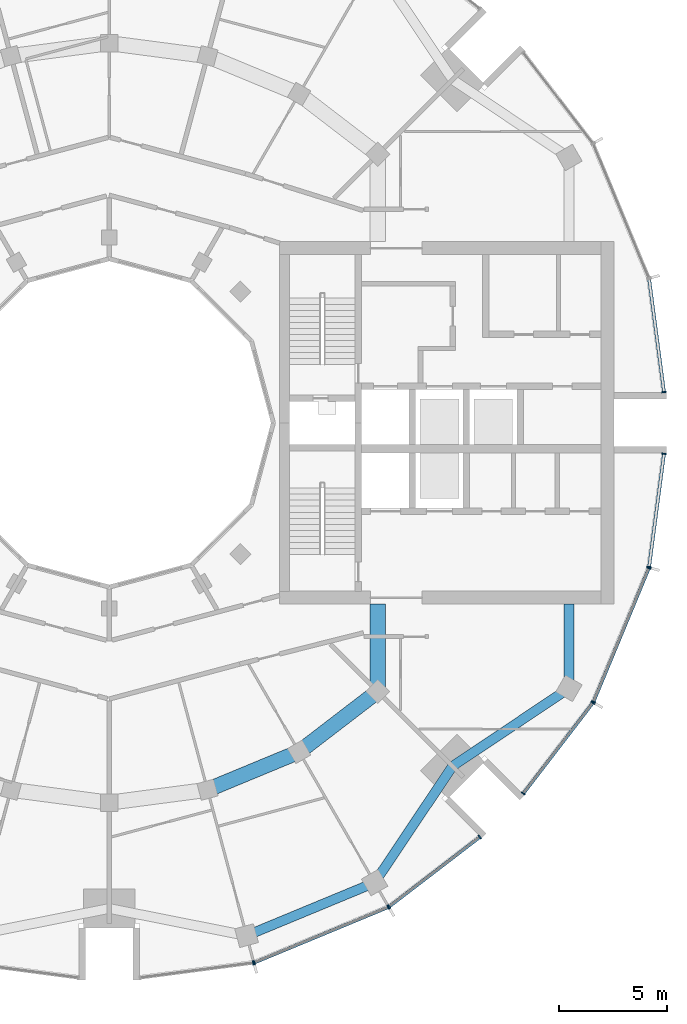
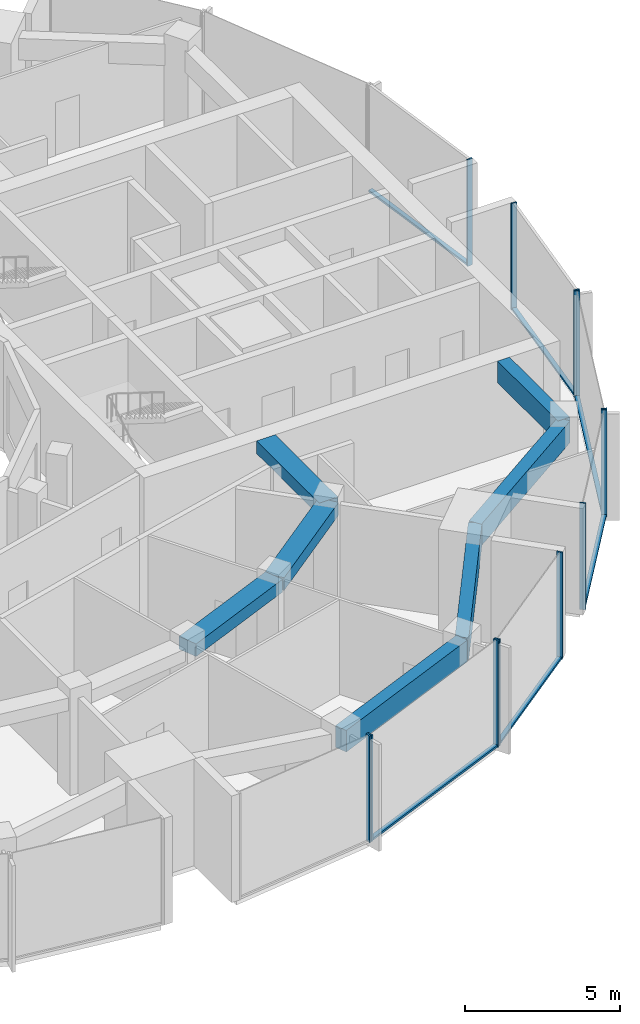
# One storey, part 4 of 15: 18 members, 7 beams, 7 elements without a shape of their own.
"""IFC4 building model written with IfcOpenShell, lengths in metres."""

from ifc_helpers import new_model, si_unit, direction, frame, origin, origin_2d, place, context, subcontext, project, spatial, rectangle, extrude, material, layer, layer_set, material_profile, profile_set, type_object, element, aggregate, save


model = new_model("IFC4")

# Units and contexts
model_context = context("Model", 3, precision=1e-05, world=origin(), true_north=direction((0.0, 1.0)))
body_context = subcontext(model_context, "Body", "Model", "MODEL_VIEW")
ifc_project = project(units=[si_unit("LENGTHUNIT", "METRE"), si_unit("AREAUNIT", "SQUARE_METRE"), si_unit("VOLUMEUNIT", "CUBIC_METRE"), si_unit("PLANEANGLEUNIT", "RADIAN"), si_unit("MASSUNIT", "GRAM", prefix="KILO")], contexts=[model_context])

# Site, building, storey
site_placement = place(None, origin())
site = spatial("IfcSite", under=ifc_project, at=site_placement, CompositionType="ELEMENT")
building_placement = place(site_placement, origin())
building = spatial("IfcBuilding", under=site, at=building_placement, Name="Torre Brocal", CompositionType="ELEMENT")
storey_placement = place(building_placement, frame((0.0, 0.0, 225.10009765625)))
storey = spatial("IfcBuildingStorey", under=building, at=storey_placement, Name="L52", CompositionType="ELEMENT", Elevation=225.10009765625)

# Curtain wall, member
ifc_material_1 = material(Name="Aluminium and glass", Category="aluminium")
ifc_layer_1 = layer(ifc_material_1, 0.199951171875)
ifc_layer_set_1 = layer_set([ifc_layer_1], Name="Aluminium and glass")
curtain_wall_type_1 = type_object("IfcCurtainWallType", Name="CW-1 CURTAIN WALL 4200 HIGH", PredefinedType="NOTDEFINED", material=ifc_layer_set_1)
curtain_wall_1_placement = place(storey_placement, origin())
curtain_wall_1 = element("IfcCurtainWall", 1, at=curtain_wall_1_placement, inside=storey, type_object=curtain_wall_type_1, Name="CW-1 RUN 19", PredefinedType="NOTDEFINED")
ifc_material_2 = material(Name="Aluminium, dark anodised", Category="aluminium")
ifc_material_profile_1 = material_profile(ifc_material_2, rectangle(XDim=0.199951171875, YDim=0.06005859375, at=origin_2d()), Name="CW-1 MULLION 60X200")
ifc_profile_set_1 = profile_set([ifc_material_profile_1], Name="Aluminium, dark anodised")
member_type_1 = type_object("IfcMemberType", Name="CW-1 MULLION 60X200", PredefinedType="MULLION", material=ifc_profile_set_1)
member_1_placement = place(storey_placement, frame((86.67333984375, 49.9794921875, 0.0), z_axis=(0.0, 0.0, 1.0), x_axis=(-0.13052619222, 0.991444861374, 0.0)))
member_1 = element("IfcMember", 2, at=member_1_placement, type_object=member_type_1, Name="CW1-5 mullion 2", PredefinedType="MULLION", context=body_context, shape_type="SweptSolid", body=[
    extrude(rectangle(XDim=0.199951171875, YDim=0.06005859375, at=origin_2d()), origin(), (0.0, 0.0, 1.0), 4.199951171875),
])
aggregate(curtain_wall_1, [member_1])

# Curtain wall, members
curtain_wall_2_placement = place(storey_placement, origin())
curtain_wall_2 = element("IfcCurtainWall", 3, at=curtain_wall_2_placement, inside=storey, type_object=curtain_wall_type_1, Name="CW-1 RUN 20", PredefinedType="NOTDEFINED")
member_2_placement = place(storey_placement, frame((86.73095703125, 49.994873046875, 0.0), z_axis=(0.0, 0.0, 1.0), x_axis=(-0.382683432333, 0.923879532525, 0.0)))
member_2 = element("IfcMember", 4, at=member_2_placement, type_object=member_type_1, Name="CW1-5 mullion 1", PredefinedType="MULLION", context=body_context, shape_type="SweptSolid", body=[
    extrude(rectangle(XDim=0.199951171875, YDim=0.06005859375, at=origin_2d()), origin(), (0.0, 0.0, 1.0), 4.199951171875),
])
member_3_placement = place(storey_placement, frame((92.921875, 52.559326171875, 0.0), z_axis=(0.0, 0.0, 1.0), x_axis=(-0.382683432333, 0.923879532525, 0.0)))
member_3 = element("IfcMember", 5, at=member_3_placement, type_object=member_type_1, Name="CW1-5 mullion 2", PredefinedType="MULLION", context=body_context, shape_type="SweptSolid", body=[
    extrude(rectangle(XDim=0.199951171875, YDim=0.06005859375, at=origin_2d()), origin(), (0.0, 0.0, 1.0), 4.199951171875),
])

curtain_wall_3_placement = place(storey_placement, origin())
curtain_wall_3 = element("IfcCurtainWall", 6, at=curtain_wall_3_placement, inside=storey, type_object=curtain_wall_type_1, Name="CW-1 RUN 21", PredefinedType="NOTDEFINED")
member_4_placement = place(storey_placement, frame((92.973388671875, 52.5888671875, 0.0), z_axis=(0.0, 0.0, 1.0), x_axis=(-0.60876142905, 0.793353340259, 0.0)))
member_4 = element("IfcMember", 7, at=member_4_placement, type_object=member_type_1, Name="CW1-5 mullion 1", PredefinedType="MULLION", context=body_context, shape_type="SweptSolid", body=[
    extrude(rectangle(XDim=0.199951171875, YDim=0.06005859375, at=origin_2d()), origin(), (0.0, 0.0, 1.0), 4.199951171875),
])
member_5_placement = place(storey_placement, frame((97.16943359375, 55.80859375, 0.0), z_axis=(0.0, 0.0, 1.0), x_axis=(-0.60876142905, 0.793353340259, 0.0)))
member_5 = element("IfcMember", 8, at=member_5_placement, type_object=member_type_1, Name="CW1-5 mullion 2", PredefinedType="MULLION", context=body_context, shape_type="SweptSolid", body=[
    extrude(rectangle(XDim=0.199951171875, YDim=0.06005859375, at=origin_2d()), origin(), (0.0, 0.0, 1.0), 4.199951171875),
])

curtain_wall_4_placement = place(storey_placement, origin())
curtain_wall_4 = element("IfcCurtainWall", 9, at=curtain_wall_4_placement, inside=storey, type_object=curtain_wall_type_1, Name="CW-1 RUN 22", PredefinedType="NOTDEFINED")
member_6_placement = place(storey_placement, frame((99.19140625, 57.83056640625, 0.0), z_axis=(0.0, 0.0, 1.0), x_axis=(-0.793353340259, 0.60876142905, 0.0)))
member_6 = element("IfcMember", 10, at=member_6_placement, type_object=member_type_1, Name="CW1-5 mullion 1", PredefinedType="MULLION", context=body_context, shape_type="SweptSolid", body=[
    extrude(rectangle(XDim=0.199951171875, YDim=0.06005859375, at=origin_2d()), origin(), (0.0, 0.0, 1.0), 4.199951171875),
])
member_7_placement = place(storey_placement, frame((102.4111328125, 62.026611328125, 0.0), z_axis=(0.0, 0.0, 1.0), x_axis=(-0.793353340259, 0.60876142905, 0.0)))
member_7 = element("IfcMember", 11, at=member_7_placement, type_object=member_type_1, Name="CW1-5 mullion 2", PredefinedType="MULLION", context=body_context, shape_type="SweptSolid", body=[
    extrude(rectangle(XDim=0.199951171875, YDim=0.06005859375, at=origin_2d()), origin(), (0.0, 0.0, 1.0), 4.199951171875),
])

curtain_wall_5_placement = place(storey_placement, origin())
curtain_wall_5 = element("IfcCurtainWall", 12, at=curtain_wall_5_placement, inside=storey, type_object=curtain_wall_type_1, Name="CW-1 RUN 23", PredefinedType="NOTDEFINED")
member_8_placement = place(storey_placement, frame((102.440673828125, 62.078125, 0.0), z_axis=(0.0, 0.0, 1.0), x_axis=(-0.923879532525, 0.382683432333, 0.0)))
member_8 = element("IfcMember", 13, at=member_8_placement, type_object=member_type_1, Name="CW1-5 mullion 1", PredefinedType="MULLION", context=body_context, shape_type="SweptSolid", body=[
    extrude(rectangle(XDim=0.199951171875, YDim=0.06005859375, at=origin_2d()), origin(), (0.0, 0.0, 1.0), 4.199951171875),
])
member_9_placement = place(storey_placement, frame((105.005126953125, 68.26904296875, 0.0), z_axis=(0.0, 0.0, 1.0), x_axis=(-0.923879532525, 0.382683432333, 0.0)))
member_9 = element("IfcMember", 14, at=member_9_placement, type_object=member_type_1, Name="CW1-5 mullion 2", PredefinedType="MULLION", context=body_context, shape_type="SweptSolid", body=[
    extrude(rectangle(XDim=0.199951171875, YDim=0.06005859375, at=origin_2d()), origin(), (0.0, 0.0, 1.0), 4.199951171875),
])

# Member
ifc_material_3 = material(Name="Aluminium, dark anodised", Category="aluminium")
ifc_material_profile_2 = material_profile(ifc_material_3, rectangle(XDim=0.159912109375, YDim=0.080078125, at=origin_2d()), Name="CW-1 TRANSOM 160X80")
ifc_profile_set_2 = profile_set([ifc_material_profile_2], Name="Aluminium, dark anodised")
member_type_2 = type_object("IfcMemberType", Name="CW-1 TRANSOM 160X80", PredefinedType="USERDEFINED", material=ifc_profile_set_2)
member_10_placement = place(storey_placement, frame((86.758544921875, 50.00634765625, 0.039794921875), z_axis=(0.923887344364, 0.38266457234, 0.0), x_axis=(-0.38266457234, 0.923887344364, 0.0)))
member_10 = element("IfcMember", 15, at=member_10_placement, type_object=member_type_2, Name="CW1-5 transom 1.1", ObjectType="TRANSOM", PredefinedType="USERDEFINED", context=body_context, shape_type="SweptSolid", body=[
    extrude(rectangle(XDim=0.159912109375, YDim=0.080078125, at=origin_2d()), origin(), (0.0, 0.0, 1.0), 6.640869140625),
])

aggregate(curtain_wall_2, [member_2, member_3, member_10])

member_11_placement = place(storey_placement, frame((92.9970703125, 52.607177734375, 0.039794921875), z_axis=(0.79336281513, 0.60874908096, 0.0), x_axis=(-0.60874908096, 0.79336281513, 0.0)))
member_11 = element("IfcMember", 16, at=member_11_placement, type_object=member_type_2, Name="CW1-5 transom 1.1", ObjectType="TRANSOM", PredefinedType="USERDEFINED", context=body_context, shape_type="SweptSolid", body=[
    extrude(rectangle(XDim=0.159912109375, YDim=0.080078125, at=origin_2d()), origin(), (0.0, 0.0, 1.0), 5.22900390625),
])

aggregate(curtain_wall_3, [member_4, member_5, member_11])

member_12_placement = place(storey_placement, frame((99.209716796875, 57.8544921875, 0.039794921875), z_axis=(0.60874908096, 0.79336281513, 0.0), x_axis=(-0.79336281513, 0.60874908096, 0.0)))
member_12 = element("IfcMember", 17, at=member_12_placement, type_object=member_type_2, Name="CW1-5 transom 1.1", ObjectType="TRANSOM", PredefinedType="USERDEFINED", context=body_context, shape_type="SweptSolid", body=[
    extrude(rectangle(XDim=0.159912109375, YDim=0.080078125, at=origin_2d()), origin(), (0.0, 0.0, 1.0), 5.22900390625),
])

aggregate(curtain_wall_4, [member_6, member_7, member_12])

member_13_placement = place(storey_placement, frame((102.452392578125, 62.10595703125, 0.039794921875), z_axis=(0.38266457234, 0.923887344364, 0.0), x_axis=(-0.923887344364, 0.38266457234, 0.0)))
member_13 = element("IfcMember", 18, at=member_13_placement, type_object=member_type_2, Name="CW1-5 transom 1.1", ObjectType="TRANSOM", PredefinedType="USERDEFINED", context=body_context, shape_type="SweptSolid", body=[
    extrude(rectangle(XDim=0.159912109375, YDim=0.080078125, at=origin_2d()), origin(), (0.0, 0.0, 1.0), 6.640869140625),
])

aggregate(curtain_wall_5, [member_8, member_9, member_13])

# Curtain wall, member
ifc_material_4 = material(Name="Aluminium and glass", Category="aluminium")
ifc_layer_2 = layer(ifc_material_4, 0.199951171875)
ifc_layer_set_2 = layer_set([ifc_layer_2], Name="Aluminium and glass")
curtain_wall_type_2 = type_object("IfcCurtainWallType", Name="CW-1B CURTAIN WALL 4200 HIGH", PredefinedType="NOTDEFINED", material=ifc_layer_set_2)
curtain_wall_6_placement = place(storey_placement, origin())
curtain_wall_6 = element("IfcCurtainWall", 19, at=curtain_wall_6_placement, inside=storey, type_object=curtain_wall_type_2, Name="CW-1B RUN 1", PredefinedType="NOTDEFINED")
ifc_material_5 = material(Name="Aluminium, dark anodised", Category="aluminium")
ifc_material_profile_3 = material_profile(ifc_material_5, rectangle(XDim=0.199951171875, YDim=0.06005859375, at=origin_2d()), Name="CW-1B MULLION 60X200")
ifc_profile_set_3 = profile_set([ifc_material_profile_3], Name="Aluminium, dark anodised")
member_type_3 = type_object("IfcMemberType", Name="CW-1B MULLION 60X200", PredefinedType="MULLION", material=ifc_profile_set_3)
member_14_placement = place(storey_placement, frame((105.7109375, 76.4296875, 0.0), z_axis=(0.0, 0.0, 1.0), x_axis=(-0.991444861374, -0.13052619222, 0.0)))
member_14 = element("IfcMember", 20, at=member_14_placement, type_object=member_type_3, Name="CW1B-5 mullion 1", PredefinedType="MULLION", context=body_context, shape_type="SweptSolid", body=[
    extrude(rectangle(XDim=0.199951171875, YDim=0.06005859375, at=origin_2d()), origin(), (0.0, 0.0, 1.0), 4.199951171875),
])

# Curtain wall, members
curtain_wall_7_placement = place(storey_placement, origin())
curtain_wall_7 = element("IfcCurtainWall", 21, at=curtain_wall_7_placement, inside=storey, type_object=curtain_wall_type_2, Name="CW-1B RUN 24", PredefinedType="NOTDEFINED")
member_15_placement = place(storey_placement, frame((105.0205078125, 68.32666015625, 0.0), z_axis=(0.0, 0.0, 1.0), x_axis=(-0.991444861374, 0.13052619222, 0.0)))
member_15 = element("IfcMember", 22, at=member_15_placement, type_object=member_type_3, Name="CW1B-5 mullion 1", PredefinedType="MULLION", context=body_context, shape_type="SweptSolid", body=[
    extrude(rectangle(XDim=0.199951171875, YDim=0.06005859375, at=origin_2d()), origin(), (0.0, 0.0, 1.0), 4.199951171875),
])
member_16_placement = place(storey_placement, frame((105.7109375, 73.5703125, 0.0), z_axis=(0.0, 0.0, 1.0), x_axis=(-0.991444861374, 0.13052619222, 0.0)))
member_16 = element("IfcMember", 23, at=member_16_placement, type_object=member_type_3, Name="CW1B-5 mullion 2", PredefinedType="MULLION", context=body_context, shape_type="SweptSolid", body=[
    extrude(rectangle(XDim=0.199951171875, YDim=0.06005859375, at=origin_2d()), origin(), (0.0, 0.0, 1.0), 4.199951171875),
])

# Member
ifc_material_6 = material(Name="Aluminium, dark anodised", Category="aluminium")
ifc_material_profile_4 = material_profile(ifc_material_6, rectangle(XDim=0.159912109375, YDim=0.080078125, at=origin_2d()), Name="CW-1B TRANSOM 160X80")
ifc_profile_set_4 = profile_set([ifc_material_profile_4], Name="Aluminium, dark anodised")
member_type_4 = type_object("IfcMemberType", Name="CW-1B TRANSOM 160X80", PredefinedType="USERDEFINED", material=ifc_profile_set_4)
member_17_placement = place(storey_placement, frame((105.70703125, 76.45947265625, 0.039794921875), z_axis=(-0.130542677827, 0.991442690863, 0.0), x_axis=(-0.991442690863, -0.130542677827, 0.0)))
member_17 = element("IfcMember", 24, at=member_17_placement, type_object=member_type_4, Name="CW1B-5 transom 1.1", ObjectType="TRANSOM", PredefinedType="USERDEFINED", context=body_context, shape_type="SweptSolid", body=[
    extrude(rectangle(XDim=0.159912109375, YDim=0.080078125, at=origin_2d()), origin(), (0.0, 0.0, 1.0), 5.22900390625),
])

aggregate(curtain_wall_6, [member_14, member_17])

member_18_placement = place(storey_placement, frame((105.0244140625, 68.356201171875, 0.039794921875), z_axis=(0.130542677827, 0.991442690863, 0.0), x_axis=(-0.991442690863, 0.130542677827, 0.0)))
member_18 = element("IfcMember", 25, at=member_18_placement, type_object=member_type_4, Name="CW1B-5 transom 1.1", ObjectType="TRANSOM", PredefinedType="USERDEFINED", context=body_context, shape_type="SweptSolid", body=[
    extrude(rectangle(XDim=0.159912109375, YDim=0.080078125, at=origin_2d()), origin(), (0.0, 0.0, 1.0), 5.22900390625),
])

aggregate(curtain_wall_7, [member_15, member_16, member_18])

# Beams
ifc_material_7 = material(Name="Concrete C50", Category="concrete")
ifc_material_profile_5 = material_profile(ifc_material_7, rectangle(XDim=0.699951171875, YDim=0.5, at=origin_2d()), Name="RC 700X500")
ifc_profile_set_5 = profile_set([ifc_material_profile_5], Name="Concrete C50")
beam_type_1 = type_object("IfcBeamType", Name="RC BEAM 700X500 C50 TOP 3800", PredefinedType="BEAM", material=ifc_profile_set_5)
beam_1_placement = place(storey_placement, frame((84.55517578125, 57.999755859375, 3.5498046875), z_axis=(0.923878240166, 0.382686552348, 0.0), x_axis=(-0.382686552348, 0.923878240166, 0.0)))
element("IfcBeam", 26, at=beam_1_placement, inside=storey, type_object=beam_type_1, Name="Beam BT-39", PredefinedType="BEAM", context=body_context, shape_type="SweptSolid", body=[
    extrude(rectangle(XDim=0.699951171875, YDim=0.5, at=origin_2d()), origin(), (0.0, 0.0, 1.0), 4.5947265625),
])
beam_2_placement = place(storey_placement, frame((88.800048828125, 59.758056640625, 3.5498046875), z_axis=(0.793358265959, 0.6087550097, 0.0), x_axis=(-0.6087550097, 0.793358265959, 0.0)))
element("IfcBeam", 27, at=beam_2_placement, inside=storey, type_object=beam_type_1, Name="Beam BT-39", PredefinedType="BEAM", context=body_context, shape_type="SweptSolid", body=[
    extrude(rectangle(XDim=0.699951171875, YDim=0.5, at=origin_2d()), origin(), (0.0, 0.0, 1.0), 4.594482421875),
])
beam_3_placement = place(storey_placement, frame((92.445068359375, 62.554931640625, 3.5498046875), z_axis=(0.0, 1.0, 0.0), x_axis=(-1.0, 0.0, 0.0)))
element("IfcBeam", 28, at=beam_3_placement, inside=storey, type_object=beam_type_1, Name="Beam BT-39", PredefinedType="BEAM", context=body_context, shape_type="SweptSolid", body=[
    extrude(rectangle(XDim=0.699951171875, YDim=0.5, at=origin_2d()), origin(), (0.0, 0.0, 1.0), 4.045166015625),
])
ifc_material_8 = material(Name="Concrete C50", Category="concrete")
ifc_material_profile_6 = material_profile(ifc_material_8, rectangle(XDim=0.449951171875, YDim=0.85009765625, at=origin_2d()), Name="RC 450X850")
ifc_profile_set_6 = profile_set([ifc_material_profile_6], Name="Concrete C50")
beam_type_2 = type_object("IfcBeamType", Name="RC SPANDREL BEAM 450X850 C50 TOP 3800", PredefinedType="SPANDREL", material=ifc_profile_set_6)
beam_4_placement = place(storey_placement, frame((86.366943359375, 51.23828125, 3.375), z_axis=(0.923882462513, 0.382676358639, 0.0), x_axis=(-0.382676358639, 0.923882462513, 0.0)))
element("IfcBeam", 29, at=beam_4_placement, inside=storey, type_object=beam_type_2, Name="Beam BT-40", PredefinedType="SPANDREL", context=body_context, shape_type="SweptSolid", body=[
    extrude(rectangle(XDim=0.449951171875, YDim=0.85009765625, at=origin_2d()), origin(), (0.0, 0.0, 1.0), 6.421875),
])
for number, where, z_axis, x_axis, name in (
    (30, (92.300048828125, 53.69580078125, 3.375), (0.556157602282, 0.831076844476, 0.0), (-0.831076844476, 0.556157602282, 0.0), "Beam BT-40"),
    (31, (95.909912109375, 59.090087890625, 3.375), (0.831076844476, 0.556157602282, 0.0), (-0.556157602282, 0.831076844476, 0.0), "Beam BT-40"),
):
    element("IfcBeam", number, at=place(storey_placement, frame(where, z_axis=z_axis, x_axis=x_axis)), inside=storey, type_object=beam_type_2, Name=name, PredefinedType="SPANDREL", context=body_context, shape_type="SweptSolid", body=[
        extrude(rectangle(XDim=0.449951171875, YDim=0.85009765625, at=origin_2d()), origin(), (0.0, 0.0, 1.0), 6.49072265625),
    ])
beam_5_placement = place(storey_placement, frame((101.30419921875, 62.699951171875, 3.375), z_axis=(0.0, 1.0, 0.0), x_axis=(-1.0, 0.0, 0.0)))
element("IfcBeam", 32, at=beam_5_placement, inside=storey, type_object=beam_type_2, Name="Beam BT-40", PredefinedType="SPANDREL", context=body_context, shape_type="SweptSolid", body=[
    extrude(rectangle(XDim=0.449951171875, YDim=0.85009765625, at=origin_2d()), origin(), (0.0, 0.0, 1.0), 3.900146484375),
])

save(model, "model.ifc")
